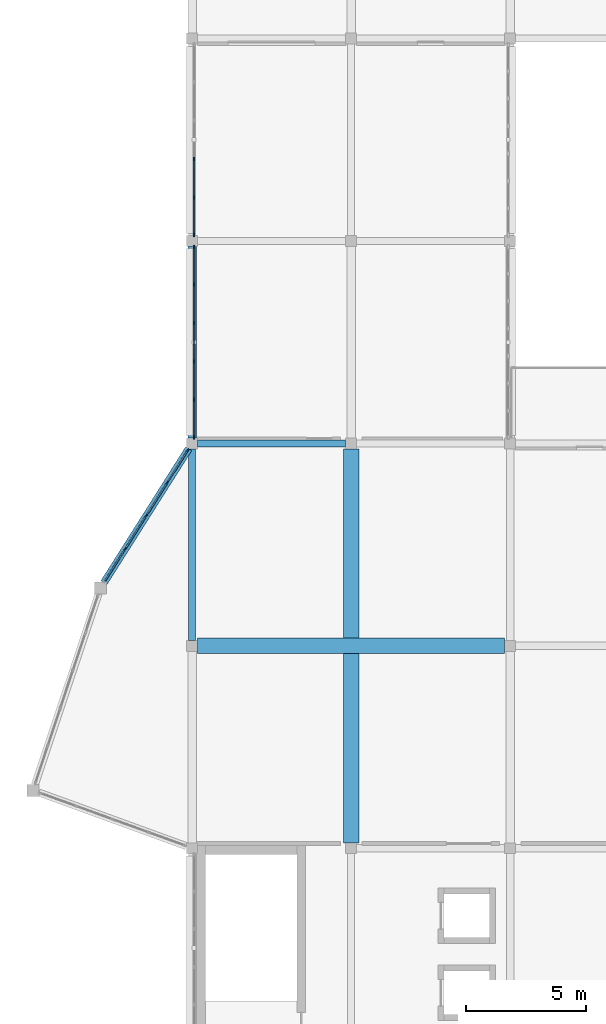
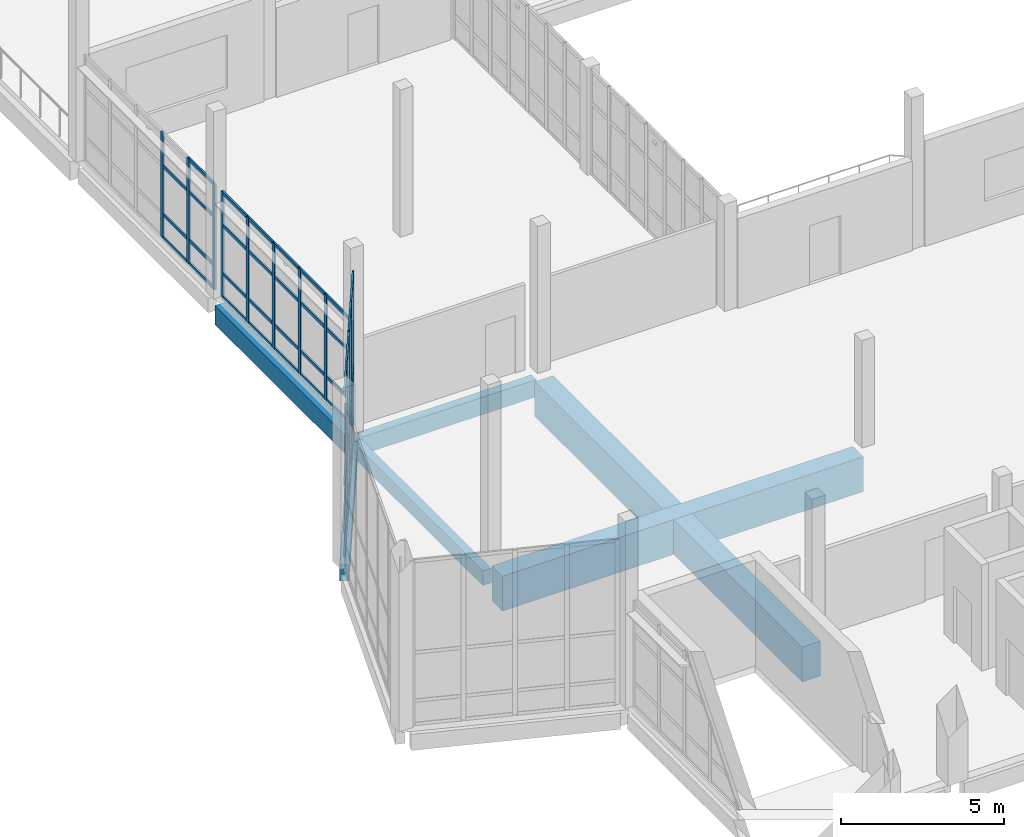
# One storey, part 32 of 78: 56 members, 6 beams, 3 elements without a shape of their own.
"""IFC4 building model written with IfcOpenShell, lengths in metres."""

from ifc_helpers import new_model, si_unit, direction, frame, origin, origin_2d, place, context, subcontext, project, spatial, rectangle, extrude, material, material_profile, profile_set, type_object, element, aggregate, save


model = new_model("IFC4")

# Units and contexts
model_context = context("Model", 3, precision=1e-05, world=origin(), true_north=direction((0.0, 1.0)))
body_context = subcontext(model_context, "Body", "Model", "MODEL_VIEW")
ifc_project = project(units=[si_unit("LENGTHUNIT", "METRE"), si_unit("AREAUNIT", "SQUARE_METRE"), si_unit("VOLUMEUNIT", "CUBIC_METRE"), si_unit("PLANEANGLEUNIT", "RADIAN"), si_unit("MASSUNIT", "GRAM", prefix="KILO")], contexts=[model_context])

# Site, building, storey
site_placement = place(None, origin())
site = spatial("IfcSite", under=ifc_project, at=site_placement, CompositionType="ELEMENT")
building_placement = place(site_placement, origin())
building = spatial("IfcBuilding", under=site, at=building_placement, Name="Qaldarim Faculty of Natural and Applied Sciences", CompositionType="ELEMENT")
storey_placement = place(building_placement, frame((0.0, 0.0, 18.60009765625)))
storey = spatial("IfcBuildingStorey", under=building, at=storey_placement, Name="L04", CompositionType="ELEMENT", Elevation=18.60009765625)

# Beam
ifc_material_1 = material(Name="Concrete C40/50", Category="concrete")
ifc_material_profile_1 = material_profile(ifc_material_1, rectangle(XDim=0.300048828125, YDim=0.550048828125, at=origin_2d()), Name="RC-B300x550")
ifc_profile_set_1 = profile_set([ifc_material_profile_1], Name="Concrete C40/50")
beam_type_1 = type_object("IfcBeamType", Name="FloorBeam-RC300x550", PredefinedType="BEAM", material=ifc_profile_set_1)
beam_1_placement = place(storey_placement, frame((151.800048828125, 75.824951171875, -0.53515625), z_axis=(0.0, 1.0, 0.0), x_axis=(-1.0, 0.0, 0.0)))
element("IfcBeam", 1, at=beam_1_placement, inside=storey, type_object=beam_type_1, Name="Beam RC-B300x550 L03 X24/Y10-Y11", PredefinedType="BEAM", context=body_context, shape_type="SweptSolid", body=[
    extrude(rectangle(XDim=0.300048828125, YDim=0.550048828125, at=origin_2d()), origin(), (0.0, 0.0, 1.0), 7.949951171875),
])

# Curtain wall, members
ifc_material_2 = material(Name="Anodised aluminium AW-6063", Category="aluminium")
curtain_wall_type = type_object("IfcCurtainWallType", Name="CurtainWallSystem-M1600", PredefinedType="USERDEFINED", material=ifc_material_2)
curtain_wall_1_placement = place(storey_placement, origin())
curtain_wall_1 = element("IfcCurtainWall", 2, at=curtain_wall_1_placement, inside=storey, type_object=curtain_wall_type, Name="Curtain wall CW-L04-W-X24Y11", ObjectType="UNITISED FACADE", PredefinedType="USERDEFINED")
ifc_material_profile_2 = material_profile(ifc_material_2, rectangle(XDim=0.06005859375, YDim=0.14990234375, at=origin_2d()), Name="ALU-M60x150")
ifc_profile_set_2 = profile_set([ifc_material_profile_2], Name="Anodised aluminium AW-6063")
member_type_1 = type_object("IfcMemberType", Name="Mullion-ALU60x150", PredefinedType="MULLION", material=ifc_profile_set_2)
member_1_placement = place(storey_placement, frame((151.8798828125, 92.14990234375, 0.0), z_axis=(0.0, 0.0, 1.0), x_axis=(1.0, 0.0, 0.0)))
member_1 = element("IfcMember", 3, at=member_1_placement, type_object=member_type_1, Name="Mullion 1 of CW-L04-W-X24Y11", PredefinedType="MULLION", context=body_context, shape_type="SweptSolid", body=[
    extrude(rectangle(XDim=0.06005859375, YDim=0.14990234375, at=origin_2d()), origin(), (0.0, 0.0, 1.0), 3.93994140625),
])
member_2_placement = place(storey_placement, frame((151.8798828125, 90.587890625, 0.0), z_axis=(0.0, 0.0, 1.0), x_axis=(1.0, 0.0, 0.0)))
member_2 = element("IfcMember", 4, at=member_2_placement, type_object=member_type_1, Name="Mullion 2 of CW-L04-W-X24Y11", PredefinedType="MULLION", context=body_context, shape_type="SweptSolid", body=[
    extrude(rectangle(XDim=0.06005859375, YDim=0.14990234375, at=origin_2d()), origin(), (0.0, 0.0, 1.0), 3.93994140625),
])
member_3_placement = place(storey_placement, frame((151.8798828125, 88.99609375, 0.0), z_axis=(0.0, 0.0, 1.0), x_axis=(1.0, 0.0, 0.0)))
member_3 = element("IfcMember", 5, at=member_3_placement, type_object=member_type_1, Name="Mullion 3 of CW-L04-W-X24Y11", PredefinedType="MULLION", context=body_context, shape_type="SweptSolid", body=[
    extrude(rectangle(XDim=0.06005859375, YDim=0.14990234375, at=origin_2d()), origin(), (0.0, 0.0, 1.0), 3.93994140625),
])
member_4_placement = place(storey_placement, frame((151.8798828125, 87.404052734375, 0.0), z_axis=(0.0, 0.0, 1.0), x_axis=(1.0, 0.0, 0.0)))
member_4 = element("IfcMember", 6, at=member_4_placement, type_object=member_type_1, Name="Mullion 4 of CW-L04-W-X24Y11", PredefinedType="MULLION", context=body_context, shape_type="SweptSolid", body=[
    extrude(rectangle(XDim=0.06005859375, YDim=0.14990234375, at=origin_2d()), origin(), (0.0, 0.0, 1.0), 3.93994140625),
])
member_5_placement = place(storey_placement, frame((151.8798828125, 85.81201171875, 0.0), z_axis=(0.0, 0.0, 1.0), x_axis=(1.0, 0.0, 0.0)))
member_5 = element("IfcMember", 7, at=member_5_placement, type_object=member_type_1, Name="Mullion 5 of CW-L04-W-X24Y11", PredefinedType="MULLION", context=body_context, shape_type="SweptSolid", body=[
    extrude(rectangle(XDim=0.06005859375, YDim=0.14990234375, at=origin_2d()), origin(), (0.0, 0.0, 1.0), 3.93994140625),
])
member_6_placement = place(storey_placement, frame((151.8798828125, 84.25, 0.0), z_axis=(0.0, 0.0, 1.0), x_axis=(1.0, 0.0, 0.0)))
member_6 = element("IfcMember", 8, at=member_6_placement, type_object=member_type_1, Name="Mullion 6 of CW-L04-W-X24Y11", PredefinedType="MULLION", context=body_context, shape_type="SweptSolid", body=[
    extrude(rectangle(XDim=0.06005859375, YDim=0.14990234375, at=origin_2d()), origin(), (0.0, 0.0, 1.0), 3.93994140625),
])

curtain_wall_2_placement = place(storey_placement, origin())
curtain_wall_2 = element("IfcCurtainWall", 9, at=curtain_wall_2_placement, inside=storey, type_object=curtain_wall_type, Name="Curtain wall CW-L04-W-X24Y12", ObjectType="UNITISED FACADE", PredefinedType="USERDEFINED")
member_7_placement = place(storey_placement, frame((151.8798828125, 95.803955078125, 0.0), z_axis=(0.0, 0.0, 1.0), x_axis=(1.0, 0.0, 0.0)))
member_7 = element("IfcMember", 10, at=member_7_placement, type_object=member_type_1, Name="Mullion 4 of CW-L04-W-X24Y12", PredefinedType="MULLION", context=body_context, shape_type="SweptSolid", body=[
    extrude(rectangle(XDim=0.06005859375, YDim=0.14990234375, at=origin_2d()), origin(), (0.0, 0.0, 1.0), 3.93994140625),
])
member_8_placement = place(storey_placement, frame((151.8798828125, 94.2119140625, 0.0), z_axis=(0.0, 0.0, 1.0), x_axis=(1.0, 0.0, 0.0)))
member_8 = element("IfcMember", 11, at=member_8_placement, type_object=member_type_1, Name="Mullion 5 of CW-L04-W-X24Y12", PredefinedType="MULLION", context=body_context, shape_type="SweptSolid", body=[
    extrude(rectangle(XDim=0.06005859375, YDim=0.14990234375, at=origin_2d()), origin(), (0.0, 0.0, 1.0), 3.93994140625),
])
member_9_placement = place(storey_placement, frame((151.8798828125, 92.64990234375, 0.0), z_axis=(0.0, 0.0, 1.0), x_axis=(1.0, 0.0, 0.0)))
member_9 = element("IfcMember", 12, at=member_9_placement, type_object=member_type_1, Name="Mullion 6 of CW-L04-W-X24Y12", PredefinedType="MULLION", context=body_context, shape_type="SweptSolid", body=[
    extrude(rectangle(XDim=0.06005859375, YDim=0.14990234375, at=origin_2d()), origin(), (0.0, 0.0, 1.0), 3.93994140625),
])

curtain_wall_3_placement = place(storey_placement, origin())
curtain_wall_3 = element("IfcCurtainWall", 13, at=curtain_wall_3_placement, inside=storey, type_object=curtain_wall_type, Name="Curtain wall CW-PROW-L04-1", ObjectType="UNITISED FACADE", PredefinedType="USERDEFINED")
member_10_placement = place(storey_placement, frame((151.623779296875, 83.7197265625, 0.0), z_axis=(0.0, 0.0, 1.0), x_axis=(0.844608368004, -0.535384632481, 0.0)))
member_10 = element("IfcMember", 14, at=member_10_placement, type_object=member_type_1, Name="Mullion 1 of CW-PROW-L04-1", PredefinedType="MULLION", context=body_context, shape_type="SweptSolid", body=[
    extrude(rectangle(XDim=0.06005859375, YDim=0.14990234375, at=origin_2d()), origin(), (0.0, 0.0, 1.0), 6.139892578125),
])
member_11_placement = place(storey_placement, frame((150.77001953125, 82.37255859375, 0.0), z_axis=(0.0, 0.0, 1.0), x_axis=(0.844608368004, -0.535384632481, 0.0)))
member_11 = element("IfcMember", 15, at=member_11_placement, type_object=member_type_1, Name="Mullion 2 of CW-PROW-L04-1", PredefinedType="MULLION", context=body_context, shape_type="SweptSolid", body=[
    extrude(rectangle(XDim=0.06005859375, YDim=0.14990234375, at=origin_2d()), origin(), (0.0, 0.0, 1.0), 6.139892578125),
])
member_12_placement = place(storey_placement, frame((149.89990234375, 81.0, 0.0), z_axis=(0.0, 0.0, 1.0), x_axis=(0.844608368004, -0.535384632481, 0.0)))
member_12 = element("IfcMember", 16, at=member_12_placement, type_object=member_type_1, Name="Mullion 3 of CW-PROW-L04-1", PredefinedType="MULLION", context=body_context, shape_type="SweptSolid", body=[
    extrude(rectangle(XDim=0.06005859375, YDim=0.14990234375, at=origin_2d()), origin(), (0.0, 0.0, 1.0), 6.139892578125),
])
member_13_placement = place(storey_placement, frame((149.030029296875, 79.62744140625, 0.0), z_axis=(0.0, 0.0, 1.0), x_axis=(0.844608368004, -0.535384632481, 0.0)))
member_13 = element("IfcMember", 17, at=member_13_placement, type_object=member_type_1, Name="Mullion 4 of CW-PROW-L04-1", PredefinedType="MULLION", context=body_context, shape_type="SweptSolid", body=[
    extrude(rectangle(XDim=0.06005859375, YDim=0.14990234375, at=origin_2d()), origin(), (0.0, 0.0, 1.0), 6.139892578125),
])

# Beams
ifc_material_profile_3 = material_profile(ifc_material_1, rectangle(XDim=0.300048828125, YDim=0.64990234375, at=origin_2d()), Name="RC-B300x650")
ifc_profile_set_3 = profile_set([ifc_material_profile_3], Name="Concrete C40/50")
beam_type_2 = type_object("IfcBeamType", Name="PrimaryBeam-RC300x650", PredefinedType="BEAM", material=ifc_profile_set_3)
beam_2_placement = place(storey_placement, frame((152.02490234375, 84.0, -0.585205078125), z_axis=(1.0, 0.0, 0.0), x_axis=(0.0, 1.0, 0.0)))
element("IfcBeam", 18, at=beam_2_placement, inside=storey, type_object=beam_type_2, Name="Beam RC-B300x650 L03 X24-X25/Y11", PredefinedType="BEAM", context=body_context, shape_type="SweptSolid", body=[
    extrude(rectangle(XDim=0.300048828125, YDim=0.64990234375, at=origin_2d()), origin(), (0.0, 0.0, 1.0), 6.150146484375),
])
ifc_material_profile_4 = material_profile(ifc_material_1, rectangle(XDim=0.35009765625, YDim=0.699951171875, at=origin_2d()), Name="RC-B350x700")
ifc_profile_set_4 = profile_set([ifc_material_profile_4], Name="Concrete C40/50")
beam_type_3 = type_object("IfcBeamType", Name="PrimaryGirder-RC350x700", PredefinedType="BEAM", material=ifc_profile_set_4)
beam_3_placement = place(storey_placement, frame((151.800048828125, 84.22509765625, -0.610107421875), z_axis=(0.0, 1.0, 0.0), x_axis=(-1.0, 0.0, 0.0)))
element("IfcBeam", 19, at=beam_3_placement, inside=storey, type_object=beam_type_3, Name="Beam RC-B350x700 L03 X24/Y11-Y12", PredefinedType="BEAM", context=body_context, shape_type="SweptSolid", body=[
    extrude(rectangle(XDim=0.35009765625, YDim=0.699951171875, at=origin_2d()), origin(), (0.0, 0.0, 1.0), 7.949951171875),
])
ifc_material_3 = material(Name="Precast concrete C40/50", Category="concrete")
ifc_material_profile_5 = material_profile(ifc_material_3, rectangle(XDim=0.300048828125, YDim=0.60009765625, at=origin_2d()), Name="RC-SP300x600")
ifc_profile_set_5 = profile_set([ifc_material_profile_5], Name="Precast concrete C40/50")
beam_type_4 = type_object("IfcBeamType", Name="SpandrelBeam-RC300x600", PredefinedType="SPANDREL", material=ifc_profile_set_5)
beam_4_placement = place(storey_placement, frame((148.139892578125, 78.219970703125, -0.56005859375), z_axis=(0.534905556702, 0.844911856592, 0.0), x_axis=(-0.844911856592, 0.534905556702, 0.0)))
element("IfcBeam", 20, at=beam_4_placement, inside=storey, type_object=beam_type_4, Name="Learning Commons angled prow spandrel L03 3", PredefinedType="SPANDREL", context=body_context, shape_type="SweptSolid", body=[
    extrude(rectangle(XDim=0.300048828125, YDim=0.60009765625, at=origin_2d()), origin(), (0.0, 0.0, 1.0), 6.58056640625),
])
ifc_material_4 = material(Name="Concrete C50/60", Category="concrete")
ifc_material_profile_6 = material_profile(ifc_material_4, rectangle(XDim=0.64990234375, YDim=1.300048828125, at=origin_2d()), Name="RC-TG650x1300")
ifc_profile_set_6 = profile_set([ifc_material_profile_6], Name="Concrete C50/60")
beam_type_5 = type_object("IfcBeamType", Name="TransferGirder-RC650x1300", PredefinedType="BEAM", material=ifc_profile_set_6)
beam_5_placement = place(storey_placement, frame((152.02490234375, 75.60009765625, -0.91015625), z_axis=(1.0, 0.0, 0.0), x_axis=(0.0, 1.0, 0.0)))
element("IfcBeam", 21, at=beam_5_placement, inside=storey, type_object=beam_type_5, Name="Long-span girder L03 Y10 X24-X26", PredefinedType="BEAM", context=body_context, shape_type="SweptSolid", body=[
    extrude(rectangle(XDim=0.64990234375, YDim=1.300048828125, at=origin_2d()), origin(), (0.0, 0.0, 1.0), 12.75),
])
beam_6_placement = place(storey_placement, frame((158.39990234375, 67.425048828125, -0.91015625), z_axis=(0.0, 1.0, 0.0), x_axis=(-1.0, 0.0, 0.0)))
element("IfcBeam", 22, at=beam_6_placement, inside=storey, type_object=beam_type_5, Name="Long-span girder L03 X25 Y09-Y11", PredefinedType="BEAM", context=body_context, shape_type="SweptSolid", body=[
    extrude(rectangle(XDim=0.64990234375, YDim=1.300048828125, at=origin_2d()), origin(), (0.0, 0.0, 1.0), 16.349853515625),
])

# Member
ifc_material_profile_7 = material_profile(ifc_material_2, rectangle(XDim=0.06005859375, YDim=0.1201171875, at=origin_2d()), Name="ALU-T60x120")
ifc_profile_set_7 = profile_set([ifc_material_profile_7], Name="Anodised aluminium AW-6063")
member_type_2 = type_object("IfcMemberType", Name="Transom-ALU60x120", PredefinedType="USERDEFINED", material=ifc_profile_set_7)
member_14_placement = place(storey_placement, frame((151.8798828125, 92.1201171875, 0.02978515625), z_axis=(0.0, -1.0, 0.0), x_axis=(1.0, 0.0, 0.0)))
member_14 = element("IfcMember", 23, at=member_14_placement, type_object=member_type_2, Name="Transom 1-1 of CW-L04-W-X24Y11", ObjectType="TRANSOM", PredefinedType="USERDEFINED", context=body_context, shape_type="SweptSolid", body=[
    extrude(rectangle(XDim=0.06005859375, YDim=0.1201171875, at=origin_2d()), origin(), (0.0, 0.0, 1.0), 1.502197265625),
])

member_15_placement = place(storey_placement, frame((151.8798828125, 92.1201171875, 0.89990234375), z_axis=(0.0, -1.0, 0.0), x_axis=(1.0, 0.0, 0.0)))
member_15 = element("IfcMember", 24, at=member_15_placement, type_object=member_type_2, Name="Transom 1-2 of CW-L04-W-X24Y11", ObjectType="TRANSOM", PredefinedType="USERDEFINED", context=body_context, shape_type="SweptSolid", body=[
    extrude(rectangle(XDim=0.06005859375, YDim=0.1201171875, at=origin_2d()), origin(), (0.0, 0.0, 1.0), 1.502197265625),
])

member_16_placement = place(storey_placement, frame((151.8798828125, 92.1201171875, 2.699951171875), z_axis=(0.0, -1.0, 0.0), x_axis=(1.0, 0.0, 0.0)))
member_16 = element("IfcMember", 25, at=member_16_placement, type_object=member_type_2, Name="Transom 1-3 of CW-L04-W-X24Y11", ObjectType="TRANSOM", PredefinedType="USERDEFINED", context=body_context, shape_type="SweptSolid", body=[
    extrude(rectangle(XDim=0.06005859375, YDim=0.1201171875, at=origin_2d()), origin(), (0.0, 0.0, 1.0), 1.502197265625),
])

member_17_placement = place(storey_placement, frame((151.8798828125, 92.1201171875, 3.909912109375), z_axis=(0.0, -1.0, 0.0), x_axis=(1.0, 0.0, 0.0)))
member_17 = element("IfcMember", 26, at=member_17_placement, type_object=member_type_2, Name="Transom 1-4 of CW-L04-W-X24Y11", ObjectType="TRANSOM", PredefinedType="USERDEFINED", context=body_context, shape_type="SweptSolid", body=[
    extrude(rectangle(XDim=0.06005859375, YDim=0.1201171875, at=origin_2d()), origin(), (0.0, 0.0, 1.0), 1.502197265625),
])

member_18_placement = place(storey_placement, frame((151.8798828125, 90.55810546875, 0.02978515625), z_axis=(0.0, -1.0, 0.0), x_axis=(1.0, 0.0, 0.0)))
member_18 = element("IfcMember", 27, at=member_18_placement, type_object=member_type_2, Name="Transom 2-1 of CW-L04-W-X24Y11", ObjectType="TRANSOM", PredefinedType="USERDEFINED", context=body_context, shape_type="SweptSolid", body=[
    extrude(rectangle(XDim=0.06005859375, YDim=0.1201171875, at=origin_2d()), origin(), (0.0, 0.0, 1.0), 1.5322265625),
])

member_19_placement = place(storey_placement, frame((151.8798828125, 90.55810546875, 0.89990234375), z_axis=(0.0, -1.0, 0.0), x_axis=(1.0, 0.0, 0.0)))
member_19 = element("IfcMember", 28, at=member_19_placement, type_object=member_type_2, Name="Transom 2-2 of CW-L04-W-X24Y11", ObjectType="TRANSOM", PredefinedType="USERDEFINED", context=body_context, shape_type="SweptSolid", body=[
    extrude(rectangle(XDim=0.06005859375, YDim=0.1201171875, at=origin_2d()), origin(), (0.0, 0.0, 1.0), 1.5322265625),
])

member_20_placement = place(storey_placement, frame((151.8798828125, 90.55810546875, 2.699951171875), z_axis=(0.0, -1.0, 0.0), x_axis=(1.0, 0.0, 0.0)))
member_20 = element("IfcMember", 29, at=member_20_placement, type_object=member_type_2, Name="Transom 2-3 of CW-L04-W-X24Y11", ObjectType="TRANSOM", PredefinedType="USERDEFINED", context=body_context, shape_type="SweptSolid", body=[
    extrude(rectangle(XDim=0.06005859375, YDim=0.1201171875, at=origin_2d()), origin(), (0.0, 0.0, 1.0), 1.5322265625),
])

member_21_placement = place(storey_placement, frame((151.8798828125, 90.55810546875, 3.909912109375), z_axis=(0.0, -1.0, 0.0), x_axis=(1.0, 0.0, 0.0)))
member_21 = element("IfcMember", 30, at=member_21_placement, type_object=member_type_2, Name="Transom 2-4 of CW-L04-W-X24Y11", ObjectType="TRANSOM", PredefinedType="USERDEFINED", context=body_context, shape_type="SweptSolid", body=[
    extrude(rectangle(XDim=0.06005859375, YDim=0.1201171875, at=origin_2d()), origin(), (0.0, 0.0, 1.0), 1.5322265625),
])

member_22_placement = place(storey_placement, frame((151.8798828125, 88.966064453125, 0.02978515625), z_axis=(0.0, -1.0, 0.0), x_axis=(1.0, 0.0, 0.0)))
member_22 = element("IfcMember", 31, at=member_22_placement, type_object=member_type_2, Name="Transom 3-1 of CW-L04-W-X24Y11", ObjectType="TRANSOM", PredefinedType="USERDEFINED", context=body_context, shape_type="SweptSolid", body=[
    extrude(rectangle(XDim=0.06005859375, YDim=0.1201171875, at=origin_2d()), origin(), (0.0, 0.0, 1.0), 1.531982421875),
])

member_23_placement = place(storey_placement, frame((151.8798828125, 88.966064453125, 0.89990234375), z_axis=(0.0, -1.0, 0.0), x_axis=(1.0, 0.0, 0.0)))
member_23 = element("IfcMember", 32, at=member_23_placement, type_object=member_type_2, Name="Transom 3-2 of CW-L04-W-X24Y11", ObjectType="TRANSOM", PredefinedType="USERDEFINED", context=body_context, shape_type="SweptSolid", body=[
    extrude(rectangle(XDim=0.06005859375, YDim=0.1201171875, at=origin_2d()), origin(), (0.0, 0.0, 1.0), 1.531982421875),
])

member_24_placement = place(storey_placement, frame((151.8798828125, 88.966064453125, 2.699951171875), z_axis=(0.0, -1.0, 0.0), x_axis=(1.0, 0.0, 0.0)))
member_24 = element("IfcMember", 33, at=member_24_placement, type_object=member_type_2, Name="Transom 3-3 of CW-L04-W-X24Y11", ObjectType="TRANSOM", PredefinedType="USERDEFINED", context=body_context, shape_type="SweptSolid", body=[
    extrude(rectangle(XDim=0.06005859375, YDim=0.1201171875, at=origin_2d()), origin(), (0.0, 0.0, 1.0), 1.531982421875),
])

member_25_placement = place(storey_placement, frame((151.8798828125, 88.966064453125, 3.909912109375), z_axis=(0.0, -1.0, 0.0), x_axis=(1.0, 0.0, 0.0)))
member_25 = element("IfcMember", 34, at=member_25_placement, type_object=member_type_2, Name="Transom 3-4 of CW-L04-W-X24Y11", ObjectType="TRANSOM", PredefinedType="USERDEFINED", context=body_context, shape_type="SweptSolid", body=[
    extrude(rectangle(XDim=0.06005859375, YDim=0.1201171875, at=origin_2d()), origin(), (0.0, 0.0, 1.0), 1.531982421875),
])

member_26_placement = place(storey_placement, frame((151.8798828125, 87.3740234375, 0.02978515625), z_axis=(0.0, -1.0, 0.0), x_axis=(1.0, 0.0, 0.0)))
member_26 = element("IfcMember", 35, at=member_26_placement, type_object=member_type_2, Name="Transom 4-1 of CW-L04-W-X24Y11", ObjectType="TRANSOM", PredefinedType="USERDEFINED", context=body_context, shape_type="SweptSolid", body=[
    extrude(rectangle(XDim=0.06005859375, YDim=0.1201171875, at=origin_2d()), origin(), (0.0, 0.0, 1.0), 1.531982421875),
])

member_27_placement = place(storey_placement, frame((151.8798828125, 87.3740234375, 0.89990234375), z_axis=(0.0, -1.0, 0.0), x_axis=(1.0, 0.0, 0.0)))
member_27 = element("IfcMember", 36, at=member_27_placement, type_object=member_type_2, Name="Transom 4-2 of CW-L04-W-X24Y11", ObjectType="TRANSOM", PredefinedType="USERDEFINED", context=body_context, shape_type="SweptSolid", body=[
    extrude(rectangle(XDim=0.06005859375, YDim=0.1201171875, at=origin_2d()), origin(), (0.0, 0.0, 1.0), 1.531982421875),
])

member_28_placement = place(storey_placement, frame((151.8798828125, 87.3740234375, 2.699951171875), z_axis=(0.0, -1.0, 0.0), x_axis=(1.0, 0.0, 0.0)))
member_28 = element("IfcMember", 37, at=member_28_placement, type_object=member_type_2, Name="Transom 4-3 of CW-L04-W-X24Y11", ObjectType="TRANSOM", PredefinedType="USERDEFINED", context=body_context, shape_type="SweptSolid", body=[
    extrude(rectangle(XDim=0.06005859375, YDim=0.1201171875, at=origin_2d()), origin(), (0.0, 0.0, 1.0), 1.531982421875),
])

member_29_placement = place(storey_placement, frame((151.8798828125, 87.3740234375, 3.909912109375), z_axis=(0.0, -1.0, 0.0), x_axis=(1.0, 0.0, 0.0)))
member_29 = element("IfcMember", 38, at=member_29_placement, type_object=member_type_2, Name="Transom 4-4 of CW-L04-W-X24Y11", ObjectType="TRANSOM", PredefinedType="USERDEFINED", context=body_context, shape_type="SweptSolid", body=[
    extrude(rectangle(XDim=0.06005859375, YDim=0.1201171875, at=origin_2d()), origin(), (0.0, 0.0, 1.0), 1.531982421875),
])

member_30_placement = place(storey_placement, frame((151.8798828125, 85.781982421875, 0.02978515625), z_axis=(0.0, -1.0, 0.0), x_axis=(1.0, 0.0, 0.0)))
member_30 = element("IfcMember", 39, at=member_30_placement, type_object=member_type_2, Name="Transom 5-1 of CW-L04-W-X24Y11", ObjectType="TRANSOM", PredefinedType="USERDEFINED", context=body_context, shape_type="SweptSolid", body=[
    extrude(rectangle(XDim=0.06005859375, YDim=0.1201171875, at=origin_2d()), origin(), (0.0, 0.0, 1.0), 1.501953125),
])

member_31_placement = place(storey_placement, frame((151.8798828125, 85.781982421875, 0.89990234375), z_axis=(0.0, -1.0, 0.0), x_axis=(1.0, 0.0, 0.0)))
member_31 = element("IfcMember", 40, at=member_31_placement, type_object=member_type_2, Name="Transom 5-2 of CW-L04-W-X24Y11", ObjectType="TRANSOM", PredefinedType="USERDEFINED", context=body_context, shape_type="SweptSolid", body=[
    extrude(rectangle(XDim=0.06005859375, YDim=0.1201171875, at=origin_2d()), origin(), (0.0, 0.0, 1.0), 1.501953125),
])

member_32_placement = place(storey_placement, frame((151.8798828125, 85.781982421875, 2.699951171875), z_axis=(0.0, -1.0, 0.0), x_axis=(1.0, 0.0, 0.0)))
member_32 = element("IfcMember", 41, at=member_32_placement, type_object=member_type_2, Name="Transom 5-3 of CW-L04-W-X24Y11", ObjectType="TRANSOM", PredefinedType="USERDEFINED", context=body_context, shape_type="SweptSolid", body=[
    extrude(rectangle(XDim=0.06005859375, YDim=0.1201171875, at=origin_2d()), origin(), (0.0, 0.0, 1.0), 1.501953125),
])

member_33_placement = place(storey_placement, frame((151.8798828125, 85.781982421875, 3.909912109375), z_axis=(0.0, -1.0, 0.0), x_axis=(1.0, 0.0, 0.0)))
member_33 = element("IfcMember", 42, at=member_33_placement, type_object=member_type_2, Name="Transom 5-4 of CW-L04-W-X24Y11", ObjectType="TRANSOM", PredefinedType="USERDEFINED", context=body_context, shape_type="SweptSolid", body=[
    extrude(rectangle(XDim=0.06005859375, YDim=0.1201171875, at=origin_2d()), origin(), (0.0, 0.0, 1.0), 1.501953125),
])

aggregate(curtain_wall_1, [member_1, member_2, member_3, member_4, member_5, member_6, member_14, member_15, member_16, member_17, member_18, member_19, member_20, member_21, member_22, member_23, member_24, member_25, member_26, member_27, member_28, member_29, member_30, member_31, member_32, member_33])

member_34_placement = place(storey_placement, frame((151.8798828125, 95.77392578125, 0.02978515625), z_axis=(0.0, -1.0, 0.0), x_axis=(1.0, 0.0, 0.0)))
member_34 = element("IfcMember", 43, at=member_34_placement, type_object=member_type_2, Name="Transom 4-1 of CW-L04-W-X24Y12", ObjectType="TRANSOM", PredefinedType="USERDEFINED", context=body_context, shape_type="SweptSolid", body=[
    extrude(rectangle(XDim=0.06005859375, YDim=0.1201171875, at=origin_2d()), origin(), (0.0, 0.0, 1.0), 1.531982421875),
])

member_35_placement = place(storey_placement, frame((151.8798828125, 95.77392578125, 0.89990234375), z_axis=(0.0, -1.0, 0.0), x_axis=(1.0, 0.0, 0.0)))
member_35 = element("IfcMember", 44, at=member_35_placement, type_object=member_type_2, Name="Transom 4-2 of CW-L04-W-X24Y12", ObjectType="TRANSOM", PredefinedType="USERDEFINED", context=body_context, shape_type="SweptSolid", body=[
    extrude(rectangle(XDim=0.06005859375, YDim=0.1201171875, at=origin_2d()), origin(), (0.0, 0.0, 1.0), 1.531982421875),
])

member_36_placement = place(storey_placement, frame((151.8798828125, 95.77392578125, 2.699951171875), z_axis=(0.0, -1.0, 0.0), x_axis=(1.0, 0.0, 0.0)))
member_36 = element("IfcMember", 45, at=member_36_placement, type_object=member_type_2, Name="Transom 4-3 of CW-L04-W-X24Y12", ObjectType="TRANSOM", PredefinedType="USERDEFINED", context=body_context, shape_type="SweptSolid", body=[
    extrude(rectangle(XDim=0.06005859375, YDim=0.1201171875, at=origin_2d()), origin(), (0.0, 0.0, 1.0), 1.531982421875),
])

member_37_placement = place(storey_placement, frame((151.8798828125, 94.181884765625, 0.02978515625), z_axis=(0.0, -1.0, 0.0), x_axis=(1.0, 0.0, 0.0)))
member_37 = element("IfcMember", 46, at=member_37_placement, type_object=member_type_2, Name="Transom 5-1 of CW-L04-W-X24Y12", ObjectType="TRANSOM", PredefinedType="USERDEFINED", context=body_context, shape_type="SweptSolid", body=[
    extrude(rectangle(XDim=0.06005859375, YDim=0.1201171875, at=origin_2d()), origin(), (0.0, 0.0, 1.0), 1.501953125),
])

member_38_placement = place(storey_placement, frame((151.8798828125, 94.181884765625, 0.89990234375), z_axis=(0.0, -1.0, 0.0), x_axis=(1.0, 0.0, 0.0)))
member_38 = element("IfcMember", 47, at=member_38_placement, type_object=member_type_2, Name="Transom 5-2 of CW-L04-W-X24Y12", ObjectType="TRANSOM", PredefinedType="USERDEFINED", context=body_context, shape_type="SweptSolid", body=[
    extrude(rectangle(XDim=0.06005859375, YDim=0.1201171875, at=origin_2d()), origin(), (0.0, 0.0, 1.0), 1.501953125),
])

member_39_placement = place(storey_placement, frame((151.8798828125, 94.181884765625, 2.699951171875), z_axis=(0.0, -1.0, 0.0), x_axis=(1.0, 0.0, 0.0)))
member_39 = element("IfcMember", 48, at=member_39_placement, type_object=member_type_2, Name="Transom 5-3 of CW-L04-W-X24Y12", ObjectType="TRANSOM", PredefinedType="USERDEFINED", context=body_context, shape_type="SweptSolid", body=[
    extrude(rectangle(XDim=0.06005859375, YDim=0.1201171875, at=origin_2d()), origin(), (0.0, 0.0, 1.0), 1.501953125),
])

member_40_placement = place(storey_placement, frame((151.8798828125, 94.181884765625, 3.909912109375), z_axis=(0.0, -1.0, 0.0), x_axis=(1.0, 0.0, 0.0)))
member_40 = element("IfcMember", 49, at=member_40_placement, type_object=member_type_2, Name="Transom 5-4 of CW-L04-W-X24Y12", ObjectType="TRANSOM", PredefinedType="USERDEFINED", context=body_context, shape_type="SweptSolid", body=[
    extrude(rectangle(XDim=0.06005859375, YDim=0.1201171875, at=origin_2d()), origin(), (0.0, 0.0, 1.0), 1.501953125),
])

aggregate(curtain_wall_2, [member_7, member_8, member_9, member_34, member_35, member_36, member_37, member_38, member_39, member_40])

member_41_placement = place(storey_placement, frame((151.60791015625, 83.6943359375, 0.02978515625), z_axis=(-0.535320690272, -0.844648896623, 0.0), x_axis=(0.844648896623, -0.535320690272, 0.0)))
member_41 = element("IfcMember", 50, at=member_41_placement, type_object=member_type_2, Name="Transom 1-1 of CW-PROW-L04-1", ObjectType="TRANSOM", PredefinedType="USERDEFINED", context=body_context, shape_type="SweptSolid", body=[
    extrude(rectangle(XDim=0.06005859375, YDim=0.1201171875, at=origin_2d()), origin(), (0.0, 0.0, 1.0), 1.53515625),
])

member_42_placement = place(storey_placement, frame((151.60791015625, 83.6943359375, 0.89990234375), z_axis=(-0.535320690272, -0.844648896623, 0.0), x_axis=(0.844648896623, -0.535320690272, 0.0)))
member_42 = element("IfcMember", 51, at=member_42_placement, type_object=member_type_2, Name="Transom 1-2 of CW-PROW-L04-1", ObjectType="TRANSOM", PredefinedType="USERDEFINED", context=body_context, shape_type="SweptSolid", body=[
    extrude(rectangle(XDim=0.06005859375, YDim=0.1201171875, at=origin_2d()), origin(), (0.0, 0.0, 1.0), 1.53515625),
])

member_43_placement = place(storey_placement, frame((151.60791015625, 83.6943359375, 2.699951171875), z_axis=(-0.535320690272, -0.844648896623, 0.0), x_axis=(0.844648896623, -0.535320690272, 0.0)))
member_43 = element("IfcMember", 52, at=member_43_placement, type_object=member_type_2, Name="Transom 1-3 of CW-PROW-L04-1", ObjectType="TRANSOM", PredefinedType="USERDEFINED", context=body_context, shape_type="SweptSolid", body=[
    extrude(rectangle(XDim=0.06005859375, YDim=0.1201171875, at=origin_2d()), origin(), (0.0, 0.0, 1.0), 1.53515625),
])

member_44_placement = place(storey_placement, frame((151.60791015625, 83.6943359375, 6.10986328125), z_axis=(-0.535320690272, -0.844648896623, 0.0), x_axis=(0.844648896623, -0.535320690272, 0.0)))
member_44 = element("IfcMember", 53, at=member_44_placement, type_object=member_type_2, Name="Transom 1-4 of CW-PROW-L04-1", ObjectType="TRANSOM", PredefinedType="USERDEFINED", context=body_context, shape_type="SweptSolid", body=[
    extrude(rectangle(XDim=0.06005859375, YDim=0.1201171875, at=origin_2d()), origin(), (0.0, 0.0, 1.0), 1.53515625),
])

member_45_placement = place(storey_placement, frame((150.75390625, 82.34716796875, 0.02978515625), z_axis=(-0.535400907346, -0.844598051391, 0.0), x_axis=(0.844598051391, -0.535400907346, 0.0)))
member_45 = element("IfcMember", 54, at=member_45_placement, type_object=member_type_2, Name="Transom 2-1 of CW-PROW-L04-1", ObjectType="TRANSOM", PredefinedType="USERDEFINED", context=body_context, shape_type="SweptSolid", body=[
    extrude(rectangle(XDim=0.06005859375, YDim=0.1201171875, at=origin_2d()), origin(), (0.0, 0.0, 1.0), 1.56494140625),
])

member_46_placement = place(storey_placement, frame((150.75390625, 82.34716796875, 0.89990234375), z_axis=(-0.535400907346, -0.844598051391, 0.0), x_axis=(0.844598051391, -0.535400907346, 0.0)))
member_46 = element("IfcMember", 55, at=member_46_placement, type_object=member_type_2, Name="Transom 2-2 of CW-PROW-L04-1", ObjectType="TRANSOM", PredefinedType="USERDEFINED", context=body_context, shape_type="SweptSolid", body=[
    extrude(rectangle(XDim=0.06005859375, YDim=0.1201171875, at=origin_2d()), origin(), (0.0, 0.0, 1.0), 1.56494140625),
])

member_47_placement = place(storey_placement, frame((150.75390625, 82.34716796875, 2.699951171875), z_axis=(-0.535400907346, -0.844598051391, 0.0), x_axis=(0.844598051391, -0.535400907346, 0.0)))
member_47 = element("IfcMember", 56, at=member_47_placement, type_object=member_type_2, Name="Transom 2-3 of CW-PROW-L04-1", ObjectType="TRANSOM", PredefinedType="USERDEFINED", context=body_context, shape_type="SweptSolid", body=[
    extrude(rectangle(XDim=0.06005859375, YDim=0.1201171875, at=origin_2d()), origin(), (0.0, 0.0, 1.0), 1.56494140625),
])

member_48_placement = place(storey_placement, frame((150.75390625, 82.34716796875, 6.10986328125), z_axis=(-0.535400907346, -0.844598051391, 0.0), x_axis=(0.844598051391, -0.535400907346, 0.0)))
member_48 = element("IfcMember", 57, at=member_48_placement, type_object=member_type_2, Name="Transom 2-4 of CW-PROW-L04-1", ObjectType="TRANSOM", PredefinedType="USERDEFINED", context=body_context, shape_type="SweptSolid", body=[
    extrude(rectangle(XDim=0.06005859375, YDim=0.1201171875, at=origin_2d()), origin(), (0.0, 0.0, 1.0), 1.56494140625),
])

member_49_placement = place(storey_placement, frame((149.8837890625, 80.974609375, 0.02978515625), z_axis=(-0.535289609596, -0.8446685941, 0.0), x_axis=(0.8446685941, -0.535289609596, 0.0)))
member_49 = element("IfcMember", 58, at=member_49_placement, type_object=member_type_2, Name="Transom 3-1 of CW-PROW-L04-1", ObjectType="TRANSOM", PredefinedType="USERDEFINED", context=body_context, shape_type="SweptSolid", body=[
    extrude(rectangle(XDim=0.06005859375, YDim=0.1201171875, at=origin_2d()), origin(), (0.0, 0.0, 1.0), 1.56494140625),
])

member_50_placement = place(storey_placement, frame((149.8837890625, 80.974609375, 0.89990234375), z_axis=(-0.535289609596, -0.8446685941, 0.0), x_axis=(0.8446685941, -0.535289609596, 0.0)))
member_50 = element("IfcMember", 59, at=member_50_placement, type_object=member_type_2, Name="Transom 3-2 of CW-PROW-L04-1", ObjectType="TRANSOM", PredefinedType="USERDEFINED", context=body_context, shape_type="SweptSolid", body=[
    extrude(rectangle(XDim=0.06005859375, YDim=0.1201171875, at=origin_2d()), origin(), (0.0, 0.0, 1.0), 1.56494140625),
])

member_51_placement = place(storey_placement, frame((149.8837890625, 80.974609375, 2.699951171875), z_axis=(-0.535289609596, -0.8446685941, 0.0), x_axis=(0.8446685941, -0.535289609596, 0.0)))
member_51 = element("IfcMember", 60, at=member_51_placement, type_object=member_type_2, Name="Transom 3-3 of CW-PROW-L04-1", ObjectType="TRANSOM", PredefinedType="USERDEFINED", context=body_context, shape_type="SweptSolid", body=[
    extrude(rectangle(XDim=0.06005859375, YDim=0.1201171875, at=origin_2d()), origin(), (0.0, 0.0, 1.0), 1.56494140625),
])

member_52_placement = place(storey_placement, frame((149.8837890625, 80.974609375, 6.10986328125), z_axis=(-0.535289609596, -0.8446685941, 0.0), x_axis=(0.8446685941, -0.535289609596, 0.0)))
member_52 = element("IfcMember", 61, at=member_52_placement, type_object=member_type_2, Name="Transom 3-4 of CW-PROW-L04-1", ObjectType="TRANSOM", PredefinedType="USERDEFINED", context=body_context, shape_type="SweptSolid", body=[
    extrude(rectangle(XDim=0.06005859375, YDim=0.1201171875, at=origin_2d()), origin(), (0.0, 0.0, 1.0), 1.56494140625),
])

member_53_placement = place(storey_placement, frame((149.013916015625, 79.602294921875, 0.02978515625), z_axis=(-0.535320690272, -0.844648896623, 0.0), x_axis=(0.844648896623, -0.535320690272, 0.0)))
member_53 = element("IfcMember", 62, at=member_53_placement, type_object=member_type_2, Name="Transom 4-1 of CW-PROW-L04-1", ObjectType="TRANSOM", PredefinedType="USERDEFINED", context=body_context, shape_type="SweptSolid", body=[
    extrude(rectangle(XDim=0.06005859375, YDim=0.1201171875, at=origin_2d()), origin(), (0.0, 0.0, 1.0), 1.53515625),
])

member_54_placement = place(storey_placement, frame((149.013916015625, 79.602294921875, 0.89990234375), z_axis=(-0.535320690272, -0.844648896623, 0.0), x_axis=(0.844648896623, -0.535320690272, 0.0)))
member_54 = element("IfcMember", 63, at=member_54_placement, type_object=member_type_2, Name="Transom 4-2 of CW-PROW-L04-1", ObjectType="TRANSOM", PredefinedType="USERDEFINED", context=body_context, shape_type="SweptSolid", body=[
    extrude(rectangle(XDim=0.06005859375, YDim=0.1201171875, at=origin_2d()), origin(), (0.0, 0.0, 1.0), 1.53515625),
])

member_55_placement = place(storey_placement, frame((149.013916015625, 79.602294921875, 2.699951171875), z_axis=(-0.535320690272, -0.844648896623, 0.0), x_axis=(0.844648896623, -0.535320690272, 0.0)))
member_55 = element("IfcMember", 64, at=member_55_placement, type_object=member_type_2, Name="Transom 4-3 of CW-PROW-L04-1", ObjectType="TRANSOM", PredefinedType="USERDEFINED", context=body_context, shape_type="SweptSolid", body=[
    extrude(rectangle(XDim=0.06005859375, YDim=0.1201171875, at=origin_2d()), origin(), (0.0, 0.0, 1.0), 1.53515625),
])

member_56_placement = place(storey_placement, frame((149.013916015625, 79.602294921875, 6.10986328125), z_axis=(-0.535320690272, -0.844648896623, 0.0), x_axis=(0.844648896623, -0.535320690272, 0.0)))
member_56 = element("IfcMember", 65, at=member_56_placement, type_object=member_type_2, Name="Transom 4-4 of CW-PROW-L04-1", ObjectType="TRANSOM", PredefinedType="USERDEFINED", context=body_context, shape_type="SweptSolid", body=[
    extrude(rectangle(XDim=0.06005859375, YDim=0.1201171875, at=origin_2d()), origin(), (0.0, 0.0, 1.0), 1.53515625),
])

aggregate(curtain_wall_3, [member_10, member_11, member_12, member_13, member_41, member_42, member_43, member_44, member_45, member_46, member_47, member_48, member_49, member_50, member_51, member_52, member_53, member_54, member_55, member_56])

save(model, "model.ifc")
